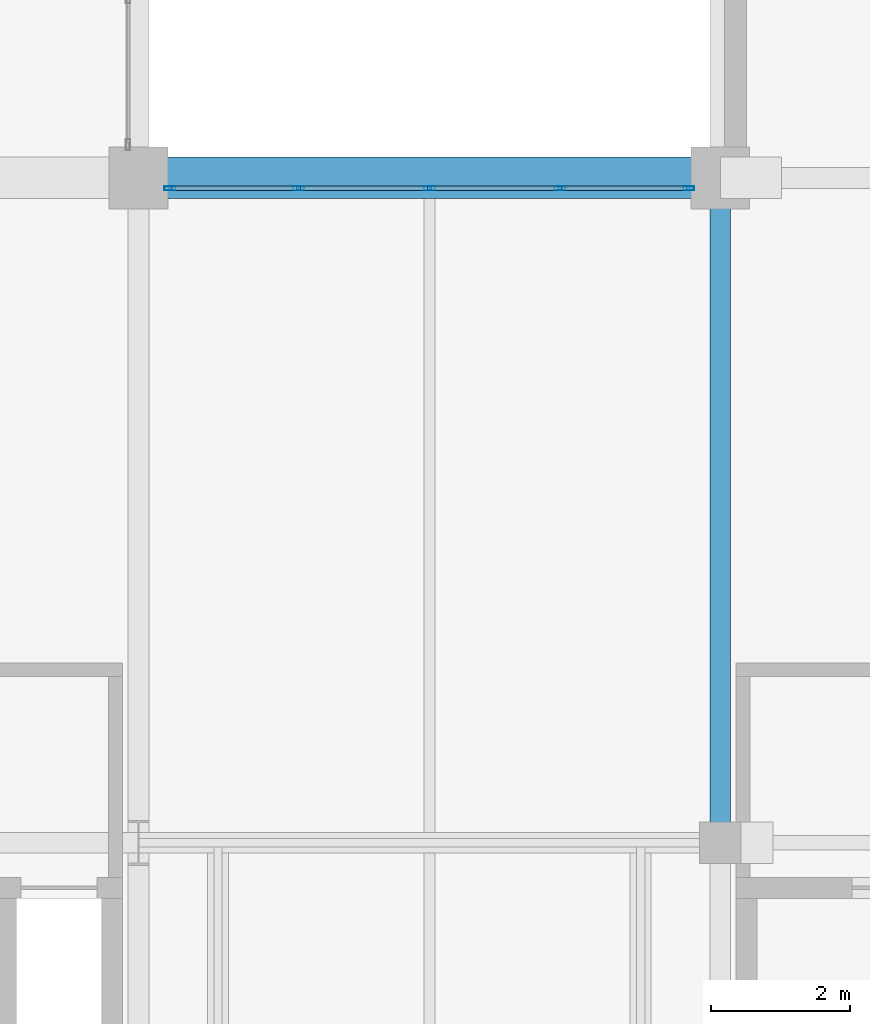
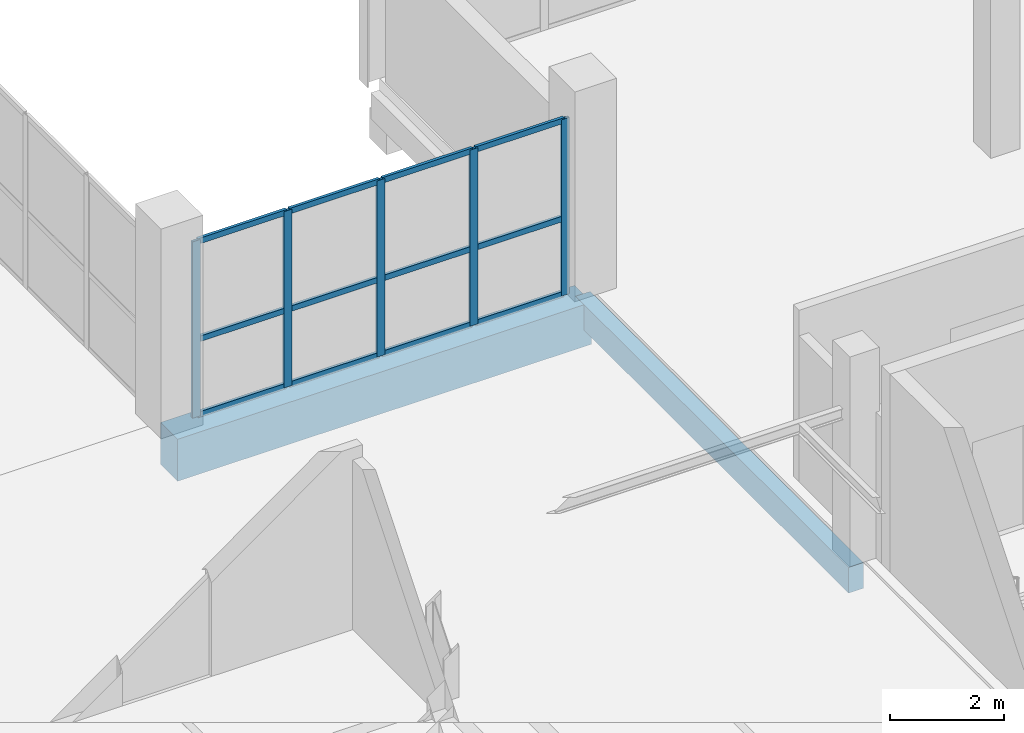
# One storey, part 54 of 130: 17 members, 2 beams, 1 element without a shape of its own.
"""IFC4 building model written with IfcOpenShell, lengths in metres."""

from ifc_helpers import new_model, si_unit, direction, frame, origin, origin_2d, place, context, subcontext, project, spatial, rectangle, hollow_rectangle, extrude, material, material_profile, profile_set, type_object, element, aggregate, save


model = new_model("IFC4")

# Units and contexts
model_context = context("Model", 3, precision=1e-05, world=origin(), true_north=direction((0.0, 1.0)))
body_context = subcontext(model_context, "Body", "Model", "MODEL_VIEW")
ifc_project = project(units=[si_unit("LENGTHUNIT", "METRE"), si_unit("AREAUNIT", "SQUARE_METRE"), si_unit("VOLUMEUNIT", "CUBIC_METRE"), si_unit("PLANEANGLEUNIT", "RADIAN"), si_unit("MASSUNIT", "GRAM", prefix="KILO")], contexts=[model_context])

# Site, building, storey
site_placement = place(None, origin())
site = spatial("IfcSite", under=ifc_project, at=site_placement, CompositionType="ELEMENT")
building_placement = place(site_placement, origin())
building = spatial("IfcBuilding", under=site, at=building_placement, Name="Veltarok Museum of Natural Sciences", CompositionType="ELEMENT")
storey_placement = place(building_placement, frame((0.0, 0.0, 12.89990234375)))
storey = spatial("IfcBuildingStorey", under=building, at=storey_placement, Name="L02", CompositionType="ELEMENT", Elevation=12.89990234375)

# Curtain wall, members
ifc_material_1 = material(Name="Low-iron triple insulated glass", Category="glass")
curtain_wall_type = type_object("IfcCurtainWallType", Name="Curtain Wall System CW-V1CN-L02-2-755x378 (CW-V1CN L02 755x378cm)", PredefinedType="NOTDEFINED", material=ifc_material_1)
curtain_wall_placement = place(storey_placement, origin())
curtain_wall = element("IfcCurtainWall", 1, at=curtain_wall_placement, inside=storey, type_object=curtain_wall_type, Name="Curtain Wall CW-V1CN-L02-2-755x378 CW-0158", PredefinedType="NOTDEFINED")
ifc_material_2 = material(Name="Thermally broken anodised aluminium", Category="aluminium")
ifc_material_profile_1 = material_profile(ifc_material_2, hollow_rectangle(XDim=0.06005859375, YDim=0.1201171875, WallThickness=0.0048828125, at=origin_2d()), Name="CW TRANSOM 60x120x5")
ifc_profile_set_1 = profile_set([ifc_material_profile_1], Name="Thermally broken anodised aluminium")
member_type_1 = type_object("IfcMemberType", Name="Curtain Wall Horizontal Transom 60x120x5", PredefinedType="USERDEFINED", material=ifc_profile_set_1)
member_1_placement = place(storey_placement, frame((106.715087890625, 19.050048828125, 0.028076171875), z_axis=(-1.0, 0.0, 0.0), x_axis=(0.0, -1.0, 0.0)))
member_1 = element("IfcMember", 2, at=member_1_placement, type_object=member_type_1, Name="CW-V1CN-L02-2-755x378 transom 1.1", ObjectType="TRANSOM", PredefinedType="USERDEFINED", context=body_context, shape_type="SweptSolid", body=[
    extrude(hollow_rectangle(XDim=0.06005859375, YDim=0.1201171875, WallThickness=0.0048828125, at=origin_2d()), origin(), (0.0, 0.0, 1.0), 1.797607421875),
])
member_2_placement = place(storey_placement, frame((106.715087890625, 19.050048828125, 1.648193359375), z_axis=(-1.0, 0.0, 0.0), x_axis=(0.0, -1.0, 0.0)))
member_2 = element("IfcMember", 3, at=member_2_placement, type_object=member_type_1, Name="CW-V1CN-L02-2-755x378 transom 1.2", ObjectType="TRANSOM", PredefinedType="USERDEFINED", context=body_context, shape_type="SweptSolid", body=[
    extrude(hollow_rectangle(XDim=0.06005859375, YDim=0.1201171875, WallThickness=0.0048828125, at=origin_2d()), origin(), (0.0, 0.0, 1.0), 1.797607421875),
])
member_3_placement = place(storey_placement, frame((106.715087890625, 19.050048828125, 3.75), z_axis=(-1.0, 0.0, 0.0), x_axis=(0.0, -1.0, 0.0)))
member_3 = element("IfcMember", 4, at=member_3_placement, type_object=member_type_1, Name="CW-V1CN-L02-2-755x378 transom 1.3", ObjectType="TRANSOM", PredefinedType="USERDEFINED", context=body_context, shape_type="SweptSolid", body=[
    extrude(hollow_rectangle(XDim=0.06005859375, YDim=0.1201171875, WallThickness=0.0048828125, at=origin_2d()), origin(), (0.0, 0.0, 1.0), 1.797607421875),
])
member_4_placement = place(storey_placement, frame((104.857421875, 19.050048828125, 0.028076171875), z_axis=(-1.0, 0.0, 0.0), x_axis=(0.0, -1.0, 0.0)))
member_4 = element("IfcMember", 5, at=member_4_placement, type_object=member_type_1, Name="CW-V1CN-L02-2-755x378 transom 2.1", ObjectType="TRANSOM", PredefinedType="USERDEFINED", context=body_context, shape_type="SweptSolid", body=[
    extrude(hollow_rectangle(XDim=0.06005859375, YDim=0.1201171875, WallThickness=0.0048828125, at=origin_2d()), origin(), (0.0, 0.0, 1.0), 1.827392578125),
])
member_5_placement = place(storey_placement, frame((104.857421875, 19.050048828125, 1.648193359375), z_axis=(-1.0, 0.0, 0.0), x_axis=(0.0, -1.0, 0.0)))
member_5 = element("IfcMember", 6, at=member_5_placement, type_object=member_type_1, Name="CW-V1CN-L02-2-755x378 transom 2.2", ObjectType="TRANSOM", PredefinedType="USERDEFINED", context=body_context, shape_type="SweptSolid", body=[
    extrude(hollow_rectangle(XDim=0.06005859375, YDim=0.1201171875, WallThickness=0.0048828125, at=origin_2d()), origin(), (0.0, 0.0, 1.0), 1.827392578125),
])
member_6_placement = place(storey_placement, frame((104.857421875, 19.050048828125, 3.75), z_axis=(-1.0, 0.0, 0.0), x_axis=(0.0, -1.0, 0.0)))
member_6 = element("IfcMember", 7, at=member_6_placement, type_object=member_type_1, Name="CW-V1CN-L02-2-755x378 transom 2.3", ObjectType="TRANSOM", PredefinedType="USERDEFINED", context=body_context, shape_type="SweptSolid", body=[
    extrude(hollow_rectangle(XDim=0.06005859375, YDim=0.1201171875, WallThickness=0.0048828125, at=origin_2d()), origin(), (0.0, 0.0, 1.0), 1.827392578125),
])
member_7_placement = place(storey_placement, frame((102.969970703125, 19.050048828125, 0.028076171875), z_axis=(-1.0, 0.0, 0.0), x_axis=(0.0, -1.0, 0.0)))
member_7 = element("IfcMember", 8, at=member_7_placement, type_object=member_type_1, Name="CW-V1CN-L02-2-755x378 transom 3.1", ObjectType="TRANSOM", PredefinedType="USERDEFINED", context=body_context, shape_type="SweptSolid", body=[
    extrude(hollow_rectangle(XDim=0.06005859375, YDim=0.1201171875, WallThickness=0.0048828125, at=origin_2d()), origin(), (0.0, 0.0, 1.0), 1.827392578125),
])
member_8_placement = place(storey_placement, frame((102.969970703125, 19.050048828125, 1.648193359375), z_axis=(-1.0, 0.0, 0.0), x_axis=(0.0, -1.0, 0.0)))
member_8 = element("IfcMember", 9, at=member_8_placement, type_object=member_type_1, Name="CW-V1CN-L02-2-755x378 transom 3.2", ObjectType="TRANSOM", PredefinedType="USERDEFINED", context=body_context, shape_type="SweptSolid", body=[
    extrude(hollow_rectangle(XDim=0.06005859375, YDim=0.1201171875, WallThickness=0.0048828125, at=origin_2d()), origin(), (0.0, 0.0, 1.0), 1.827392578125),
])
member_9_placement = place(storey_placement, frame((102.969970703125, 19.050048828125, 3.75), z_axis=(-1.0, 0.0, 0.0), x_axis=(0.0, -1.0, 0.0)))
member_9 = element("IfcMember", 10, at=member_9_placement, type_object=member_type_1, Name="CW-V1CN-L02-2-755x378 transom 3.3", ObjectType="TRANSOM", PredefinedType="USERDEFINED", context=body_context, shape_type="SweptSolid", body=[
    extrude(hollow_rectangle(XDim=0.06005859375, YDim=0.1201171875, WallThickness=0.0048828125, at=origin_2d()), origin(), (0.0, 0.0, 1.0), 1.827392578125),
])
member_10_placement = place(storey_placement, frame((101.08251953125, 19.050048828125, 0.028076171875), z_axis=(-1.0, 0.0, 0.0), x_axis=(0.0, -1.0, 0.0)))
member_10 = element("IfcMember", 11, at=member_10_placement, type_object=member_type_1, Name="CW-V1CN-L02-2-755x378 transom 4.1", ObjectType="TRANSOM", PredefinedType="USERDEFINED", context=body_context, shape_type="SweptSolid", body=[
    extrude(hollow_rectangle(XDim=0.06005859375, YDim=0.1201171875, WallThickness=0.0048828125, at=origin_2d()), origin(), (0.0, 0.0, 1.0), 1.797607421875),
])
member_11_placement = place(storey_placement, frame((101.08251953125, 19.050048828125, 1.648193359375), z_axis=(-1.0, 0.0, 0.0), x_axis=(0.0, -1.0, 0.0)))
member_11 = element("IfcMember", 12, at=member_11_placement, type_object=member_type_1, Name="CW-V1CN-L02-2-755x378 transom 4.2", ObjectType="TRANSOM", PredefinedType="USERDEFINED", context=body_context, shape_type="SweptSolid", body=[
    extrude(hollow_rectangle(XDim=0.06005859375, YDim=0.1201171875, WallThickness=0.0048828125, at=origin_2d()), origin(), (0.0, 0.0, 1.0), 1.797607421875),
])
member_12_placement = place(storey_placement, frame((101.08251953125, 19.050048828125, 3.75), z_axis=(-1.0, 0.0, 0.0), x_axis=(0.0, -1.0, 0.0)))
member_12 = element("IfcMember", 13, at=member_12_placement, type_object=member_type_1, Name="CW-V1CN-L02-2-755x378 transom 4.3", ObjectType="TRANSOM", PredefinedType="USERDEFINED", context=body_context, shape_type="SweptSolid", body=[
    extrude(hollow_rectangle(XDim=0.06005859375, YDim=0.1201171875, WallThickness=0.0048828125, at=origin_2d()), origin(), (0.0, 0.0, 1.0), 1.797607421875),
])
ifc_material_profile_2 = material_profile(ifc_material_2, hollow_rectangle(XDim=0.06005859375, YDim=0.159912109375, WallThickness=0.0048828125, at=origin_2d()), Name="CW MULLION 60x160x5")
ifc_profile_set_2 = profile_set([ifc_material_profile_2], Name="Thermally broken anodised aluminium")
member_type_2 = type_object("IfcMemberType", Name="Curtain Wall Vertical Mullion 60x160x5", PredefinedType="MULLION", material=ifc_profile_set_2)
member_13_placement = place(storey_placement, frame((106.7451171875, 19.050048828125, -0.001953125), z_axis=(0.0, 0.0, 1.0), x_axis=(0.0, -1.0, 0.0)))
member_13 = element("IfcMember", 14, at=member_13_placement, type_object=member_type_2, Name="CW-V1CN-L02-2-755x378 mullion 1", PredefinedType="MULLION", context=body_context, shape_type="SweptSolid", body=[
    extrude(hollow_rectangle(XDim=0.06005859375, YDim=0.159912109375, WallThickness=0.0048828125, at=origin_2d()), origin(), (0.0, 0.0, 1.0), 3.781982421875),
])
member_14_placement = place(storey_placement, frame((104.887451171875, 19.050048828125, -0.001953125), z_axis=(0.0, 0.0, 1.0), x_axis=(0.0, -1.0, 0.0)))
member_14 = element("IfcMember", 15, at=member_14_placement, type_object=member_type_2, Name="CW-V1CN-L02-2-755x378 mullion 2", PredefinedType="MULLION", context=body_context, shape_type="SweptSolid", body=[
    extrude(hollow_rectangle(XDim=0.06005859375, YDim=0.159912109375, WallThickness=0.0048828125, at=origin_2d()), origin(), (0.0, 0.0, 1.0), 3.781982421875),
])
member_15_placement = place(storey_placement, frame((103.0, 19.050048828125, -0.001953125), z_axis=(0.0, 0.0, 1.0), x_axis=(0.0, -1.0, 0.0)))
member_15 = element("IfcMember", 16, at=member_15_placement, type_object=member_type_2, Name="CW-V1CN-L02-2-755x378 mullion 3", PredefinedType="MULLION", context=body_context, shape_type="SweptSolid", body=[
    extrude(hollow_rectangle(XDim=0.06005859375, YDim=0.159912109375, WallThickness=0.0048828125, at=origin_2d()), origin(), (0.0, 0.0, 1.0), 3.781982421875),
])
member_16_placement = place(storey_placement, frame((101.112548828125, 19.050048828125, -0.001953125), z_axis=(0.0, 0.0, 1.0), x_axis=(0.0, -1.0, 0.0)))
member_16 = element("IfcMember", 17, at=member_16_placement, type_object=member_type_2, Name="CW-V1CN-L02-2-755x378 mullion 4", PredefinedType="MULLION", context=body_context, shape_type="SweptSolid", body=[
    extrude(hollow_rectangle(XDim=0.06005859375, YDim=0.159912109375, WallThickness=0.0048828125, at=origin_2d()), origin(), (0.0, 0.0, 1.0), 3.781982421875),
])
member_17_placement = place(storey_placement, frame((99.2548828125, 19.050048828125, -0.001953125), z_axis=(0.0, 0.0, 1.0), x_axis=(0.0, -1.0, 0.0)))
member_17 = element("IfcMember", 18, at=member_17_placement, type_object=member_type_2, Name="CW-V1CN-L02-2-755x378 mullion 5", PredefinedType="MULLION", context=body_context, shape_type="SweptSolid", body=[
    extrude(hollow_rectangle(XDim=0.06005859375, YDim=0.159912109375, WallThickness=0.0048828125, at=origin_2d()), origin(), (0.0, 0.0, 1.0), 3.781982421875),
])
aggregate(curtain_wall, [member_13, member_14, member_15, member_16, member_17, member_1, member_2, member_3, member_4, member_5, member_6, member_7, member_8, member_9, member_10, member_11, member_12])

# Beams
ifc_material_3 = material(Name="Precast concrete C40/50", Category="concrete")
ifc_material_profile_3 = material_profile(ifc_material_3, rectangle(XDim=0.300048828125, YDim=0.550048828125, at=origin_2d()), Name="RC 300x550")
ifc_profile_set_3 = profile_set([ifc_material_profile_3], Name="Precast concrete C40/50")
beam_type_1 = type_object("IfcBeamType", Name="East Wing Precast Spandrel RC 300x550", PredefinedType="SPANDREL", material=ifc_profile_set_3)
beam_1_placement = place(storey_placement, frame((107.199951171875, 9.60009765625, -0.52490234375), z_axis=(0.0, 1.0, 0.0), x_axis=(-1.0, 0.0, 0.0)))
element("IfcBeam", 19, at=beam_1_placement, inside=storey, type_object=beam_type_1, Name="Beam BM-SP02 L02 13/B-C", PredefinedType="SPANDREL", context=body_context, shape_type="SweptSolid", body=[
    extrude(rectangle(XDim=0.300048828125, YDim=0.550048828125, at=origin_2d()), origin(), (0.0, 0.0, 1.0), 9.599853515625),
])
ifc_material_4 = material(Name="Concrete C40/50", Category="concrete")
ifc_material_profile_4 = material_profile(ifc_material_4, rectangle(XDim=0.60009765625, YDim=0.89990234375, at=origin_2d()), Name="RC 600x900")
ifc_profile_set_4 = profile_set([ifc_material_profile_4], Name="Concrete C40/50")
beam_type_2 = type_object("IfcBeamType", Name="Exposed Cabinet Perimeter Spandrel RC 600x900", PredefinedType="SPANDREL", material=ifc_profile_set_4)
beam_2_placement = place(storey_placement, frame((98.800048828125, 19.199951171875, -0.699951171875), z_axis=(1.0, 0.0, 0.0), x_axis=(0.0, 1.0, 0.0)))
element("IfcBeam", 20, at=beam_2_placement, inside=storey, type_object=beam_type_2, Name="Beam BM-SP01 L02 12-13/C", PredefinedType="SPANDREL", context=body_context, shape_type="SweptSolid", body=[
    extrude(rectangle(XDim=0.60009765625, YDim=0.89990234375, at=origin_2d()), origin(), (0.0, 0.0, 1.0), 8.39990234375),
])

save(model, "model.ifc")
